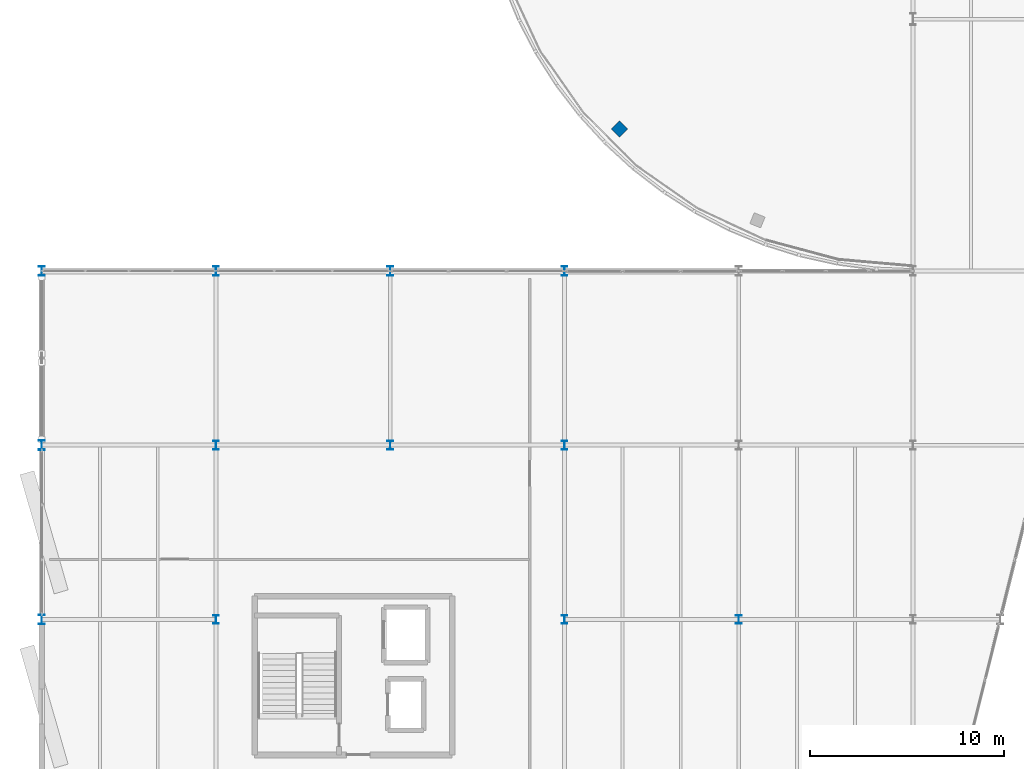
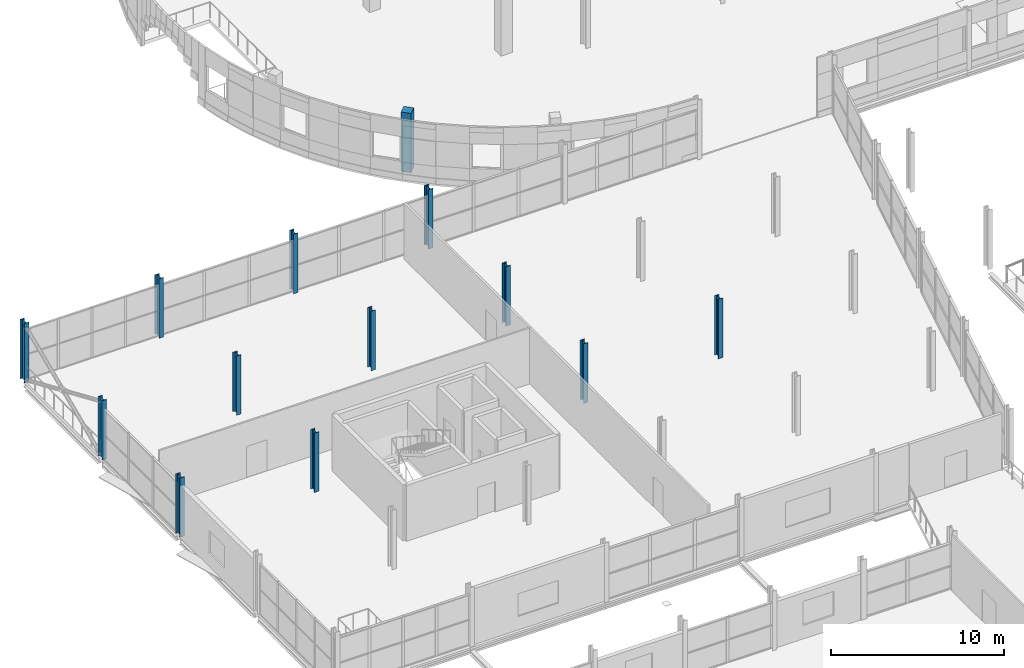
# One storey, part 8 of 135: 13 columns.
"""IFC4 building model written with IfcOpenShell, lengths in metres."""

from ifc_helpers import new_model, si_unit, direction, frame, origin, origin_2d, place, context, subcontext, project, spatial, rectangle, i_section, extrude, material, material_profile, profile_set, type_object, element, save


model = new_model("IFC4")

# Units and contexts
model_context = context("Model", 3, precision=1e-05, world=origin(), true_north=direction((0.0, 1.0)))
body_context = subcontext(model_context, "Body", "Model", "MODEL_VIEW")
ifc_project = project(units=[si_unit("LENGTHUNIT", "METRE"), si_unit("AREAUNIT", "SQUARE_METRE"), si_unit("VOLUMEUNIT", "CUBIC_METRE"), si_unit("PLANEANGLEUNIT", "RADIAN"), si_unit("MASSUNIT", "GRAM", prefix="KILO")], contexts=[model_context])

# Site, building, storey
site_placement = place(None, origin())
site = spatial("IfcSite", under=ifc_project, at=site_placement, CompositionType="ELEMENT")
building_placement = place(site_placement, origin())
building = spatial("IfcBuilding", under=site, at=building_placement, Name="Deido Ridge Mobility Hub", CompositionType="ELEMENT")
storey_placement = place(building_placement, frame((0.0, 0.0, 4.199951171875)))
storey = spatial("IfcBuildingStorey", under=building, at=storey_placement, Name="L01", CompositionType="ELEMENT", Elevation=4.199951171875)

# Columns
ifc_material_1 = material(Name="Steel S355J2 EN 10025-2", Category="steel")
ifc_material_profile_1 = material_profile(ifc_material_1, i_section(OverallWidth=0.300048828125, OverallDepth=0.449951171875, WebThickness=0.013916015625, FlangeThickness=0.02587890625, FilletRadius=0.027099609375, at=origin_2d()), Name="HEB 450")
ifc_profile_set_1 = profile_set([ifc_material_profile_1], Name="Steel S355J2 EN 10025-2")
column_type_1 = type_object("IfcColumnType", Name="COL-HEB450", PredefinedType="COLUMN", material=ifc_profile_set_1)
for number, where, z_axis, x_axis, name in (
    (1, (9.0, 63.0, 0.0), (0.0, 0.0, 1.0), (1.0, 0.0, 0.0), "Structural column C6"),
    (2, (27.0, 63.0, 0.0), (0.0, 0.0, 1.0), (1.0, 0.0, 0.0), "Structural column C6"),
    (3, (36.0, 63.0, 0.0), (0.0, 0.0, 1.0), (1.0, 0.0, 0.0), "Structural column C6"),
    (4, (9.0, 72.0, 0.0), (0.0, 0.0, 1.0), (1.0, 0.0, 0.0), "Structural column C6"),
    (5, (18.0, 72.0, 0.0), (0.0, 0.0, 1.0), (1.0, 0.0, 0.0), "Structural column C6"),
    (6, (27.0, 72.0, 0.0), (0.0, 0.0, 1.0), (1.0, 0.0, 0.0), "Structural column C6"),
):
    element("IfcColumn", number, at=place(storey_placement, frame(where, z_axis=z_axis, x_axis=x_axis)), inside=storey, type_object=column_type_1, Name=name, PredefinedType="COLUMN", context=body_context, shape_type="SweptSolid", body=[
        extrude(i_section(OverallWidth=0.300048828125, OverallDepth=0.449951171875, WebThickness=0.013916015625, FlangeThickness=0.02587890625, FilletRadius=0.027099609375, at=origin_2d()), origin(), (0.0, 0.0, 1.0), 4.199951171875),
    ])
ifc_material_profile_2 = material_profile(ifc_material_1, i_section(OverallWidth=0.300048828125, OverallDepth=0.5, WebThickness=0.014404296875, FlangeThickness=0.028076171875, FilletRadius=0.027099609375, at=origin_2d()), Name="HEB 500")
ifc_profile_set_2 = profile_set([ifc_material_profile_2], Name="Steel S355J2 EN 10025-2")
column_type_2 = type_object("IfcColumnType", Name="COL-HEB500", PredefinedType="COLUMN", material=ifc_profile_set_2)
for number, where, z_axis, x_axis, name in (
    (7, (0.0, 63.0, 0.0), (0.0, 0.0, 1.0), (1.0, 0.0, 0.0), "Structural column C5"),
    (8, (0.0, 72.0, 0.0), (0.0, 0.0, 1.0), (1.0, 0.0, 0.0), "Structural column C5"),
    (9, (0.0, 81.0, 0.0), (0.0, 0.0, 1.0), (1.0, 0.0, 0.0), "Structural column C5"),
    (10, (9.0, 81.0, 0.0), (0.0, 0.0, 1.0), (1.0, 0.0, 0.0), "Structural column C5"),
    (11, (18.0, 81.0, 0.0), (0.0, 0.0, 1.0), (1.0, 0.0, 0.0), "Structural column C5"),
    (12, (27.0, 81.0, 0.0), (0.0, 0.0, 1.0), (1.0, 0.0, 0.0), "Structural column C5"),
):
    element("IfcColumn", number, at=place(storey_placement, frame(where, z_axis=z_axis, x_axis=x_axis)), inside=storey, type_object=column_type_2, Name=name, PredefinedType="COLUMN", context=body_context, shape_type="SweptSolid", body=[
        extrude(i_section(OverallWidth=0.300048828125, OverallDepth=0.5, WebThickness=0.014404296875, FlangeThickness=0.028076171875, FilletRadius=0.027099609375, at=origin_2d()), origin(), (0.0, 0.0, 1.0), 4.199951171875),
    ])
ifc_material_2 = material(Name="Concrete C40/50", Category="concrete")
ifc_material_profile_3 = material_profile(ifc_material_2, rectangle(XDim=0.60009765625, YDim=0.60009765625, at=origin_2d()), Name="RC COL 600x600")
ifc_profile_set_3 = profile_set([ifc_material_profile_3], Name="Concrete C40/50")
column_type_3 = type_object("IfcColumnType", Name="COL-RC600", PredefinedType="COLUMN", material=ifc_profile_set_3)
column_placement = place(storey_placement, frame((29.83251953125, 88.33251953125, 0.0), z_axis=(0.0, 0.0, 1.0), x_axis=(-0.707106781187, -0.707106781187, 0.0)))
element("IfcColumn", 13, at=column_placement, inside=storey, type_object=column_type_3, Name="Structural column RC2", PredefinedType="COLUMN", context=body_context, shape_type="SweptSolid", body=[
    extrude(rectangle(XDim=0.60009765625, YDim=0.60009765625, at=origin_2d()), origin(), (0.0, 0.0, 1.0), 4.199951171875),
])

save(model, "model.ifc")
